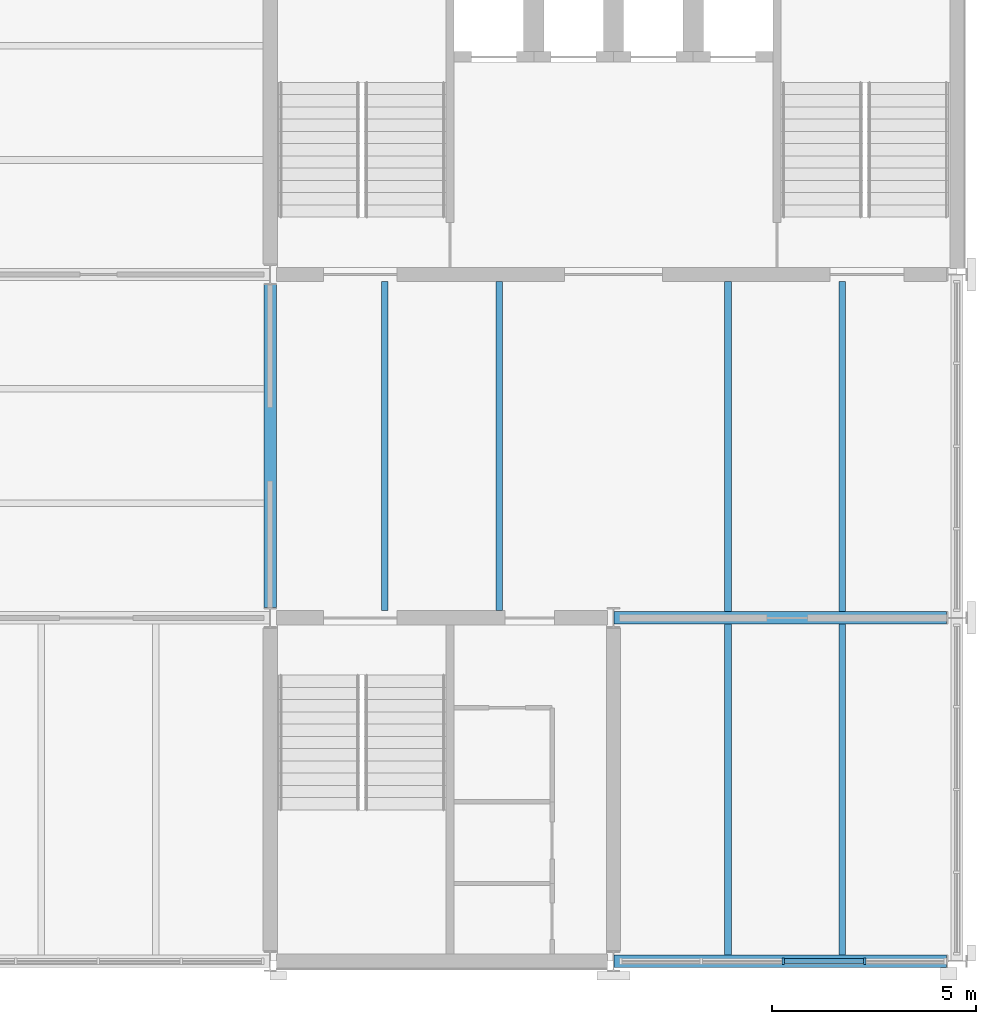
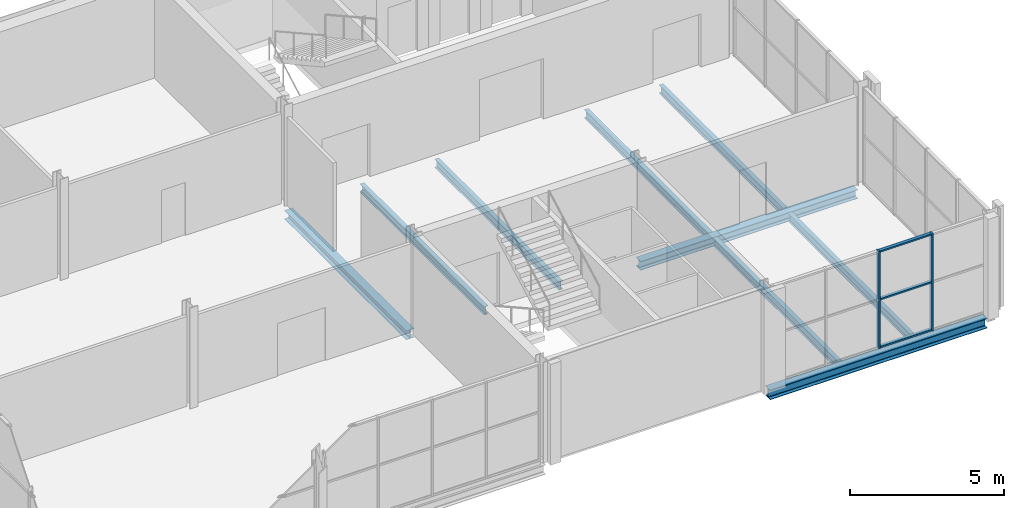
# One storey, part 4 of 12: 9 beams, 5 members, 1 element without a shape of its own.
"""IFC4 building model written with IfcOpenShell, lengths in metres."""

from ifc_helpers import new_model, si_unit, direction, frame, origin, origin_2d, place, context, subcontext, project, spatial, rectangle, i_section, extrude, material, layer, layer_set, material_profile, profile_set, type_object, element, aggregate, save


model = new_model("IFC4")

# Units and contexts
model_context = context("Model", 3, precision=1e-05, world=origin(), true_north=direction((0.0, 1.0)))
body_context = subcontext(model_context, "Body", "Model", "MODEL_VIEW")
ifc_project = project(units=[si_unit("LENGTHUNIT", "METRE"), si_unit("AREAUNIT", "SQUARE_METRE"), si_unit("VOLUMEUNIT", "CUBIC_METRE"), si_unit("PLANEANGLEUNIT", "RADIAN"), si_unit("MASSUNIT", "GRAM", prefix="KILO")], contexts=[model_context])

# Site, building, storey
site_placement = place(None, origin())
site = spatial("IfcSite", under=ifc_project, at=site_placement, CompositionType="ELEMENT")
building_placement = place(site_placement, origin())
building = spatial("IfcBuilding", under=site, at=building_placement, Name="Galleria Vessillo Department Store", CompositionType="ELEMENT")
storey_placement = place(building_placement, frame((0.0, 0.0, 39.60009765625)))
storey = spatial("IfcBuildingStorey", under=building, at=storey_placement, Name="L08", CompositionType="ELEMENT", Elevation=39.60009765625)

# Curtain wall, members
ifc_material_1 = material(Name="Aluminium and glass curtain wall", Category="aluminium")
ifc_layer = layer(ifc_material_1, 0.159912109375)
ifc_layer_set = layer_set([ifc_layer], Name="Aluminium and glass curtain wall")
curtain_wall_type = type_object("IfcCurtainWallType", Name="Tower curtain wall CW4 2100 module", PredefinedType="NOTDEFINED", material=ifc_layer_set)
curtain_wall_placement = place(storey_placement, origin())
curtain_wall = element("IfcCurtainWall", 1, at=curtain_wall_placement, inside=storey, type_object=curtain_wall_type, Name="Tower curtain wall CW4 2100 module TS-L08-03", PredefinedType="NOTDEFINED")
ifc_material_2 = material(Name="Aluminium alloy 6063 T6", Category="aluminium")
ifc_material_profile_1 = material_profile(ifc_material_2, rectangle(XDim=0.159912109375, YDim=0.06005859375, at=origin_2d()), Name="AL 60x160")
ifc_profile_set_1 = profile_set([ifc_material_profile_1], Name="Aluminium alloy 6063 T6")
member_type_1 = type_object("IfcMemberType", Name="Aluminium mullion 60 x 160", PredefinedType="MULLION", material=ifc_profile_set_1)
member_1_placement = place(storey_placement, frame((113.35009765625, 37.800048828125, 0.0), z_axis=(0.0, 0.0, 1.0), x_axis=(0.0, 1.0, 0.0)))
member_1 = element("IfcMember", 2, at=member_1_placement, type_object=member_type_1, Name="CW4 mullion 3", PredefinedType="MULLION", context=body_context, shape_type="SweptSolid", body=[
    extrude(rectangle(XDim=0.159912109375, YDim=0.06005859375, at=origin_2d()), origin(), (0.0, 0.0, 1.0), 3.85009765625),
])
member_2_placement = place(storey_placement, frame((115.35009765625, 37.800048828125, 0.0), z_axis=(0.0, 0.0, 1.0), x_axis=(0.0, 1.0, 0.0)))
member_2 = element("IfcMember", 3, at=member_2_placement, type_object=member_type_1, Name="CW4 mullion 4", PredefinedType="MULLION", context=body_context, shape_type="SweptSolid", body=[
    extrude(rectangle(XDim=0.159912109375, YDim=0.06005859375, at=origin_2d()), origin(), (0.0, 0.0, 1.0), 3.85009765625),
])
ifc_material_3 = material(Name="Aluminium alloy 6063 T6", Category="aluminium")
ifc_material_profile_2 = material_profile(ifc_material_3, rectangle(XDim=0.1201171875, YDim=0.06005859375, at=origin_2d()), Name="AL 60x120")
ifc_profile_set_2 = profile_set([ifc_material_profile_2], Name="Aluminium alloy 6063 T6")
member_type_2 = type_object("IfcMemberType", Name="Aluminium transom 60 x 120", PredefinedType="USERDEFINED", material=ifc_profile_set_2)
member_3_placement = place(storey_placement, frame((113.3798828125, 37.800048828125, 0.030029296875), z_axis=(1.0, 0.0, 0.0), x_axis=(0.0, 1.0, 0.0)))
member_3 = element("IfcMember", 4, at=member_3_placement, type_object=member_type_2, Name="CW4 transom 3.1", ObjectType="TRANSOM", PredefinedType="USERDEFINED", context=body_context, shape_type="SweptSolid", body=[
    extrude(rectangle(XDim=0.1201171875, YDim=0.06005859375, at=origin_2d()), origin(), (0.0, 0.0, 1.0), 1.940185546875),
])
member_4_placement = place(storey_placement, frame((113.3798828125, 37.800048828125, 1.925048828125), z_axis=(1.0, 0.0, 0.0), x_axis=(0.0, 1.0, 0.0)))
member_4 = element("IfcMember", 5, at=member_4_placement, type_object=member_type_2, Name="CW4 transom 3.2", ObjectType="TRANSOM", PredefinedType="USERDEFINED", context=body_context, shape_type="SweptSolid", body=[
    extrude(rectangle(XDim=0.1201171875, YDim=0.06005859375, at=origin_2d()), origin(), (0.0, 0.0, 1.0), 1.940185546875),
])
member_5_placement = place(storey_placement, frame((113.3798828125, 37.800048828125, 3.820068359375), z_axis=(1.0, 0.0, 0.0), x_axis=(0.0, 1.0, 0.0)))
member_5 = element("IfcMember", 6, at=member_5_placement, type_object=member_type_2, Name="CW4 transom 3.3", ObjectType="TRANSOM", PredefinedType="USERDEFINED", context=body_context, shape_type="SweptSolid", body=[
    extrude(rectangle(XDim=0.1201171875, YDim=0.06005859375, at=origin_2d()), origin(), (0.0, 0.0, 1.0), 1.940185546875),
])
aggregate(curtain_wall, [member_1, member_2, member_3, member_4, member_5])

# Beams
ifc_material_4 = material(Name="Steel S355 J2", Category="steel")
ifc_material_profile_3 = material_profile(ifc_material_4, i_section(OverallWidth=0.300048828125, OverallDepth=0.35009765625, WebThickness=0.010009765625, FlangeThickness=0.017578125, FilletRadius=0.027099609375, at=origin_2d()), Name="HEA 360")
ifc_profile_set_3 = profile_set([ifc_material_profile_3], Name="Steel S355 J2")
beam_type_1 = type_object("IfcBeamType", Name="Floor girder HEA 360", PredefinedType="BEAM", material=ifc_profile_set_3)
beam_1_placement = place(storey_placement, frame((109.207275390625, 46.199951171875, -0.324951171875), z_axis=(1.0, 0.0, 0.0), x_axis=(0.0, 1.0, 0.0)))
element("IfcBeam", 7, at=beam_1_placement, inside=storey, type_object=beam_type_1, Name="S-BM-L08-GI-x46200-109207", PredefinedType="BEAM", context=body_context, shape_type="SweptSolid", body=[
    extrude(i_section(OverallWidth=0.300048828125, OverallDepth=0.35009765625, WebThickness=0.010009765625, FlangeThickness=0.017578125, FilletRadius=0.027099609375, at=origin_2d()), origin(), (0.0, 0.0, 1.0), 8.142578125),
])
beam_2_placement = place(storey_placement, frame((100.800048828125, 46.4501953125, -0.324951171875), z_axis=(0.0, 1.0, 0.0), x_axis=(-1.0, 0.0, 0.0)))
element("IfcBeam", 8, at=beam_2_placement, inside=storey, type_object=beam_type_1, Name="S-BM-L08-GI-y100800-46450", PredefinedType="BEAM", context=body_context, shape_type="SweptSolid", body=[
    extrude(i_section(OverallWidth=0.300048828125, OverallDepth=0.35009765625, WebThickness=0.010009765625, FlangeThickness=0.017578125, FilletRadius=0.027099609375, at=origin_2d()), origin(), (0.0, 0.0, 1.0), 7.899658203125),
])
ifc_material_5 = material(Name="Steel S355 J2", Category="steel")
ifc_material_profile_4 = material_profile(ifc_material_5, i_section(OverallWidth=0.159912109375, OverallDepth=0.330078125, WebThickness=0.007568359375, FlangeThickness=0.011474609375, FilletRadius=0.01806640625, at=origin_2d()), Name="IPE 330")
ifc_profile_set_4 = profile_set([ifc_material_profile_4], Name="Steel S355 J2")
beam_type_2 = type_object("IfcBeamType", Name="Floor joist IPE 330", PredefinedType="JOIST", material=ifc_profile_set_4)
for number, where, z_axis, x_axis, name in (
    (9, (103.60009765625, 46.375244140625, -0.31494140625), (0.0, 1.0, 0.0), (-1.0, 0.0, 0.0), "S-BM-L08-JO-y103600-46375"),
    (10, (106.39990234375, 46.375244140625, -0.31494140625), (0.0, 1.0, 0.0), (-1.0, 0.0, 0.0), "S-BM-L08-JO-y106400-46375"),
):
    element("IfcBeam", number, at=place(storey_placement, frame(where, z_axis=z_axis, x_axis=x_axis)), inside=storey, type_object=beam_type_2, Name=name, PredefinedType="JOIST", context=body_context, shape_type="SweptSolid", body=[
        extrude(i_section(OverallWidth=0.159912109375, OverallDepth=0.330078125, WebThickness=0.007568359375, FlangeThickness=0.011474609375, FilletRadius=0.01806640625, at=origin_2d()), origin(), (0.0, 0.0, 1.0), 8.049560546875),
    ])
for number, where, z_axis, x_axis, name in (
    (11, (112.0, 37.9501953125, -0.31494140625), (0.0, 1.0, 0.0), (-1.0, 0.0, 0.0), "S-BM-L08-JO-y112000-37950"),
    (12, (114.800048828125, 37.9501953125, -0.31494140625), (0.0, 1.0, 0.0), (-1.0, 0.0, 0.0), "S-BM-L08-JO-y114800-37950"),
):
    element("IfcBeam", number, at=place(storey_placement, frame(where, z_axis=z_axis, x_axis=x_axis)), inside=storey, type_object=beam_type_2, Name=name, PredefinedType="JOIST", context=body_context, shape_type="SweptSolid", body=[
        extrude(i_section(OverallWidth=0.159912109375, OverallDepth=0.330078125, WebThickness=0.007568359375, FlangeThickness=0.011474609375, FilletRadius=0.01806640625, at=origin_2d()), origin(), (0.0, 0.0, 1.0), 8.099609375),
    ])
for number, where, z_axis, x_axis, name in (
    (13, (112.0, 46.35009765625, -0.31494140625), (0.0, 1.0, 0.0), (-1.0, 0.0, 0.0), "S-BM-L08-JO-y112000-46350"),
    (14, (114.800048828125, 46.35009765625, -0.31494140625), (0.0, 1.0, 0.0), (-1.0, 0.0, 0.0), "S-BM-L08-JO-y114800-46350"),
):
    element("IfcBeam", number, at=place(storey_placement, frame(where, z_axis=z_axis, x_axis=x_axis)), inside=storey, type_object=beam_type_2, Name=name, PredefinedType="JOIST", context=body_context, shape_type="SweptSolid", body=[
        extrude(i_section(OverallWidth=0.159912109375, OverallDepth=0.330078125, WebThickness=0.007568359375, FlangeThickness=0.011474609375, FilletRadius=0.01806640625, at=origin_2d()), origin(), (0.0, 0.0, 1.0), 8.07470703125),
    ])
ifc_material_6 = material(Name="Steel S355 J2", Category="steel")
ifc_material_profile_5 = material_profile(ifc_material_6, i_section(OverallWidth=0.300048828125, OverallDepth=0.389892578125, WebThickness=0.010986328125, FlangeThickness=0.01904296875, FilletRadius=0.027099609375, at=origin_2d()), Name="HEA 400")
ifc_profile_set_5 = profile_set([ifc_material_profile_5], Name="Steel S355 J2")
beam_type_3 = type_object("IfcBeamType", Name="Trimmer beam HEA 400", PredefinedType="BEAM", material=ifc_profile_set_5)
beam_3_placement = place(storey_placement, frame((109.207275390625, 37.800048828125, -0.344970703125), z_axis=(1.0, 0.0, 0.0), x_axis=(0.0, 1.0, 0.0)))
element("IfcBeam", 15, at=beam_3_placement, inside=storey, type_object=beam_type_3, Name="S-BM-L08-TR-x37800-109207", PredefinedType="BEAM", context=body_context, shape_type="SweptSolid", body=[
    extrude(i_section(OverallWidth=0.300048828125, OverallDepth=0.389892578125, WebThickness=0.010986328125, FlangeThickness=0.01904296875, FilletRadius=0.027099609375, at=origin_2d()), origin(), (0.0, 0.0, 1.0), 8.142578125),
])

save(model, "model.ifc")
